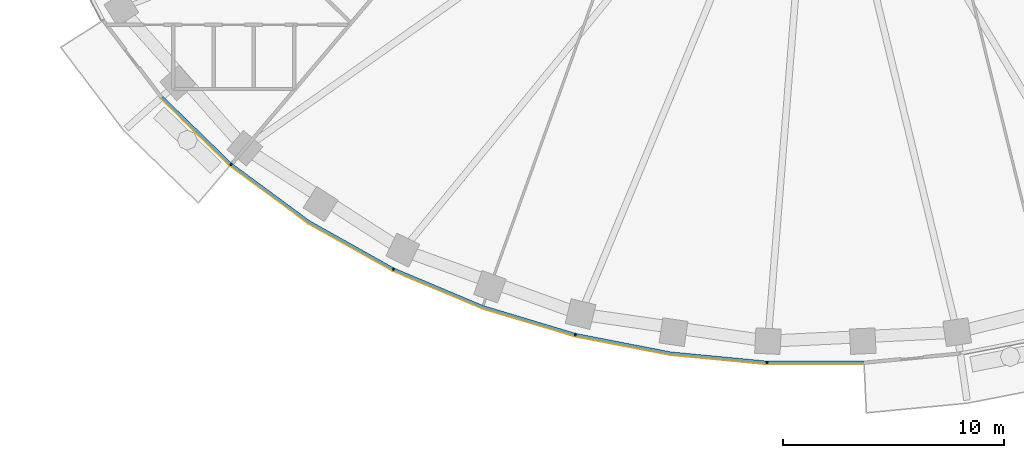
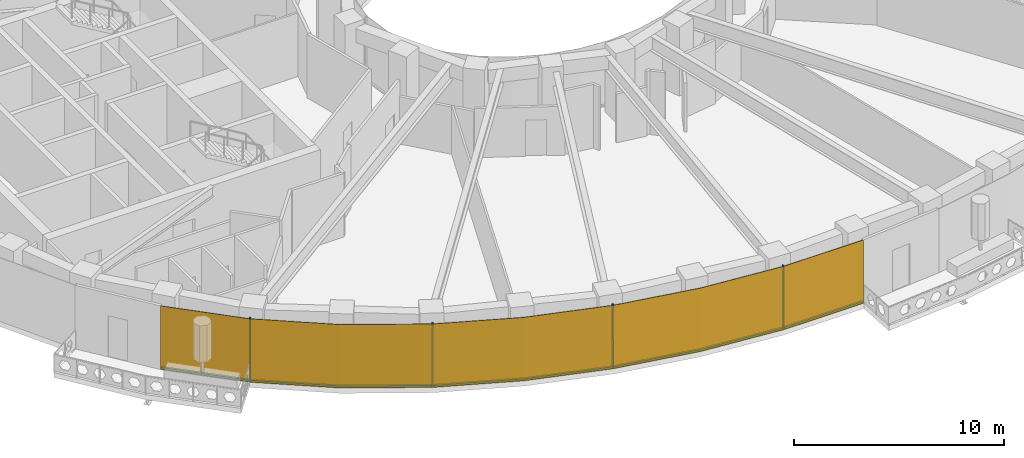
# One storey, part 8 of 16: 9 members, 1 curtain wall.
"""IFC4 building model written with IfcOpenShell, lengths in metres."""

from ifc_helpers import new_model, si_unit, direction, frame, origin, origin_2d, place, context, subcontext, project, spatial, polyline, rectangle, outline, extrude, material, layer, layer_set, material_profile, profile_set, type_object, element, aggregate, save


model = new_model("IFC4")

# Units and contexts
model_context = context("Model", 3, precision=1e-05, world=origin(), true_north=direction((0.0, 1.0)))
body_context = subcontext(model_context, "Body", "Model", "MODEL_VIEW")
ifc_project = project(units=[si_unit("LENGTHUNIT", "METRE"), si_unit("AREAUNIT", "SQUARE_METRE"), si_unit("VOLUMEUNIT", "CUBIC_METRE"), si_unit("PLANEANGLEUNIT", "RADIAN"), si_unit("MASSUNIT", "GRAM", prefix="KILO")], contexts=[model_context])

# Member
ifc_material_1 = material(Name="Aluminium 6063-T6 black anodised", Category="aluminium")
ifc_material_profile = material_profile(ifc_material_1, rectangle(XDim=0.1201171875, YDim=0.06005859375, at=origin_2d()), Name="120x60")
ifc_profile_set = profile_set([ifc_material_profile], Name="Aluminium 6063-T6 black anodised")
member_type_1 = type_object("IfcMemberType", Name="ENV-MULLION-A-120", PredefinedType="MULLION", material=ifc_profile_set)
site_placement = place(None, origin())
building_placement = place(site_placement, origin())
storey_placement = place(building_placement, frame((0.0, 0.0, 186.0)))
member_1_placement = place(storey_placement, frame((-26.403564453125, -18.9130859375, 0.0), z_axis=(0.0, 0.0, 1.0), x_axis=(0.646451313783, 0.762955240435, 0.0)))
member_1 = element("IfcMember", 1, at=member_1_placement, type_object=member_type_1, Name="Mullion A radial 29", PredefinedType="MULLION", context=body_context, shape_type="SweptSolid", body=[
    extrude(rectangle(XDim=0.1201171875, YDim=0.06005859375, at=origin_2d()), origin(), (0.0, 0.0, 1.0), 3.699951171875),
])

member_2_placement = place(storey_placement, frame((-19.06787109375, -23.6474609375, 0.0), z_axis=(0.0, 0.0, 1.0), x_axis=(0.439237769837, 0.898370848563, 0.0)))
member_2 = element("IfcMember", 2, at=member_2_placement, type_object=member_type_1, Name="Mullion A radial 31", PredefinedType="MULLION", context=body_context, shape_type="SweptSolid", body=[
    extrude(rectangle(XDim=0.1201171875, YDim=0.06005859375, at=origin_2d()), origin(), (0.0, 0.0, 1.0), 3.699951171875),
])

member_3_placement = place(storey_placement, frame((-10.84326171875, -26.60498046875, 0.0), z_axis=(0.0, 0.0, 1.0), x_axis=(0.239799081534, 0.970822538106, 0.0)))
member_3 = element("IfcMember", 3, at=member_3_placement, type_object=member_type_1, Name="Mullion A radial 33", PredefinedType="MULLION", context=body_context, shape_type="SweptSolid", body=[
    extrude(rectangle(XDim=0.1201171875, YDim=0.06005859375, at=origin_2d()), origin(), (0.0, 0.0, 1.0), 3.699951171875),
])

member_4_placement = place(storey_placement, frame((-2.188720703125, -27.856201171875, 0.0), z_axis=(0.0, 0.0, 1.0), x_axis=(0.047557873581, 0.998868484166, 0.0)))
member_4 = element("IfcMember", 4, at=member_4_placement, type_object=member_type_1, Name="Mullion A radial 35", PredefinedType="MULLION", context=body_context, shape_type="SweptSolid", body=[
    extrude(rectangle(XDim=0.1201171875, YDim=0.06005859375, at=origin_2d()), origin(), (0.0, 0.0, 1.0), 3.699951171875),
])

ifc_material_2 = material(Name="Aluminium 6063-T6 black anodised", Category="aluminium")
member_type_2 = type_object("IfcMemberType", Name="ENV-TRANSOM-A", PredefinedType="USERDEFINED", material=ifc_material_2)
member_5_placement = place(storey_placement, origin())
member_5 = element("IfcMember", 5, at=member_5_placement, type_object=member_type_2, Name="Transom A radial 28-29", ObjectType="TRANSOM", PredefinedType="USERDEFINED", context=body_context, shape_type="SweptSolid", body=[
    extrude(outline(polyline([(-29.569091796875, -15.9208984375), (-26.46240234375, -18.939208984375), (-26.384765625, -18.847412109375), (-29.47900390625, -15.841064453125), (-29.569091796875, -15.9208984375)])), origin(), (0.0, 0.0, 1.0), 0.10009765625),
])

member_6_placement = place(storey_placement, origin())
member_6 = element("IfcMember", 6, at=member_6_placement, type_object=member_type_2, Name="Transom A radial 29-31", ObjectType="TRANSOM", PredefinedType="USERDEFINED", context=body_context, shape_type="SweptSolid", body=[
    extrude(outline(polyline([(-26.419921875, -18.975341796875), (-22.9150390625, -21.556884765625), (-19.11865234375, -23.687744140625), (-19.06591796875, -23.57958984375), (-22.85009765625, -21.455810546875), (-26.342041015625, -18.883544921875), (-26.419921875, -18.975341796875)])), origin(), (0.0, 0.0, 1.0), 0.10009765625),
])

member_7_placement = place(storey_placement, origin())
member_7 = element("IfcMember", 7, at=member_7_placement, type_object=member_type_2, Name="Transom A radial 31-33", ObjectType="TRANSOM", PredefinedType="USERDEFINED", context=body_context, shape_type="SweptSolid", body=[
    extrude(outline(polyline([(-19.068359375, -23.71240234375), (-15.054443359375, -25.400146484375), (-10.884521484375, -26.655029296875), (-10.855712890625, -26.53857421875), (-15.013916015625, -25.287109375), (-19.015380859375, -23.604248046875), (-19.068359375, -23.71240234375)])), origin(), (0.0, 0.0, 1.0), 0.10009765625),
])

member_8_placement = place(storey_placement, origin())
member_8 = element("IfcMember", 8, at=member_8_placement, type_object=member_type_2, Name="Transom A radial 33-35", ObjectType="TRANSOM", PredefinedType="USERDEFINED", context=body_context, shape_type="SweptSolid", body=[
    extrude(outline(polyline([(-10.830078125, -26.66845703125), (-6.55517578125, -27.49951171875), (-2.219482421875, -27.913330078125), (-2.2138671875, -27.793212890625), (-6.537841796875, -27.380615234375), (-10.80126953125, -26.552001953125), (-10.830078125, -26.66845703125)])), origin(), (0.0, 0.0, 1.0), 0.10009765625),
])

member_9_placement = place(storey_placement, origin())
member_9 = element("IfcMember", 9, at=member_9_placement, type_object=member_type_2, Name="Transom A radial 35-36", ObjectType="TRANSOM", PredefinedType="USERDEFINED", context=body_context, shape_type="SweptSolid", body=[
    extrude(outline(polyline([(-2.163818359375, -27.916015625), (2.171630859375, -27.916015625), (2.166015625, -27.7958984375), (-2.157958984375, -27.7958984375), (-2.163818359375, -27.916015625)])), origin(), (0.0, 0.0, 1.0), 0.10009765625),
])

# Site, building, storey
site = spatial("IfcSite", under=ifc_project, at=site_placement, CompositionType="ELEMENT")
building = spatial("IfcBuilding", under=site, at=building_placement, Name="Noorbagh Ring Tower", CompositionType="ELEMENT")
storey = spatial("IfcBuildingStorey", under=building, at=storey_placement, Name="L43", CompositionType="ELEMENT", Elevation=186.0)

# Curtain wall
ifc_material_3 = material(Name="Glass dark tinted laminated", Category="glass")
ifc_layer = layer(ifc_material_3, 0.031982421875)
ifc_layer_set = layer_set([ifc_layer], Name="Glass dark tinted laminated")
curtain_wall_type = type_object("IfcCurtainWallType", Name="ENV-CW-A", PredefinedType="NOTDEFINED", material=ifc_layer_set)
curtain_wall_placement = place(storey_placement, origin())
curtain_wall = element("IfcCurtainWall", 10, at=curtain_wall_placement, inside=storey, type_object=curtain_wall_type, Name="Curtain wall A R28", PredefinedType="NOTDEFINED", context=body_context, shape_type="SweptSolid", body=[
    extrude(outline(polyline([(-29.59326171875, -15.942138671875), (-26.463134765625, -18.9833984375), (-22.9326171875, -21.583740234375), (-19.108154296875, -23.730224609375), (-15.065185546875, -25.430419921875), (-10.865234375, -26.6943359375), (-6.559814453125, -27.53125), (-2.193115234375, -27.947998046875), (2.173095703125, -27.947998046875), (2.171630859375, -27.916015625), (-2.191650390625, -27.916015625), (-6.55517578125, -27.49951171875), (-10.857666015625, -26.6630859375), (-15.054443359375, -25.400146484375), (-19.093994140625, -23.701416015625), (-22.9150390625, -21.556884765625), (-26.4423828125, -18.958740234375), (-29.569091796875, -15.9208984375), (-29.59326171875, -15.942138671875)])), origin(), (0.0, 0.0, 1.0), 3.699951171875),
])

aggregate(curtain_wall, [member_1, member_2, member_3, member_4, member_5, member_6, member_7, member_8, member_9])

save(model, "model.ifc")
